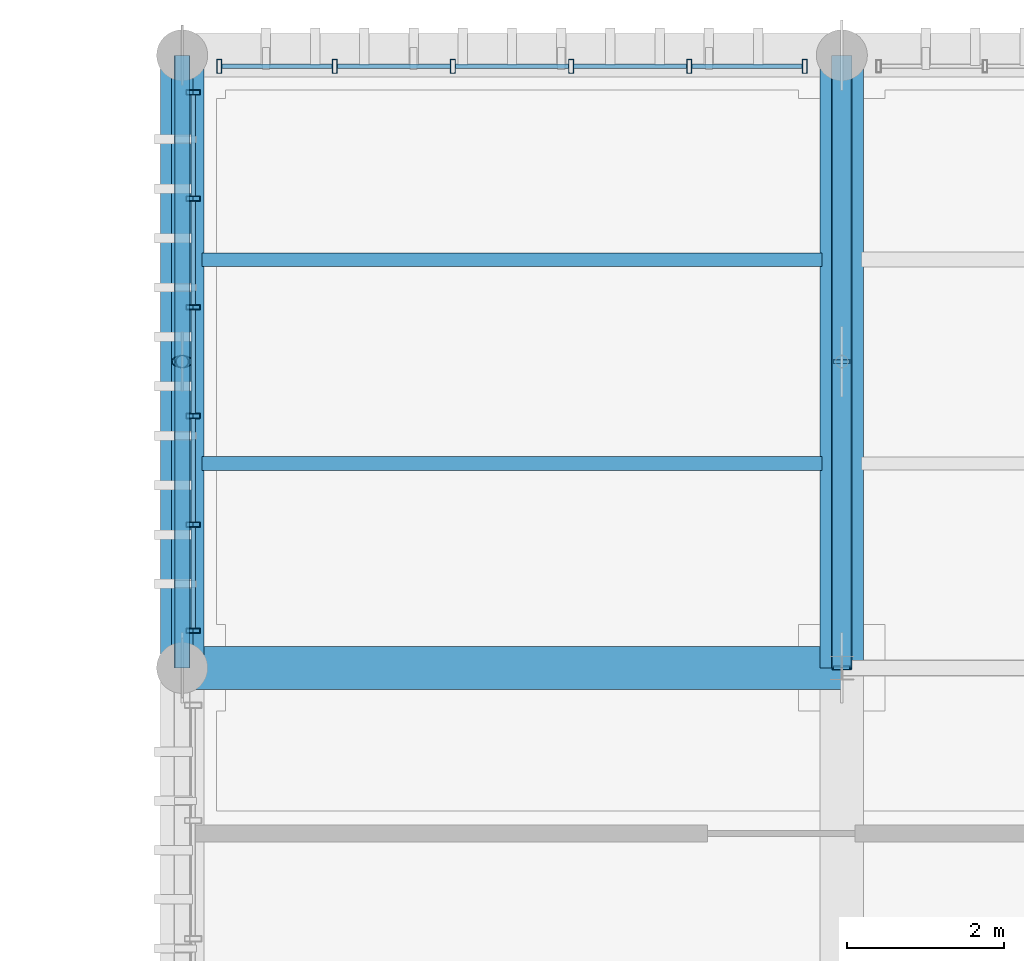
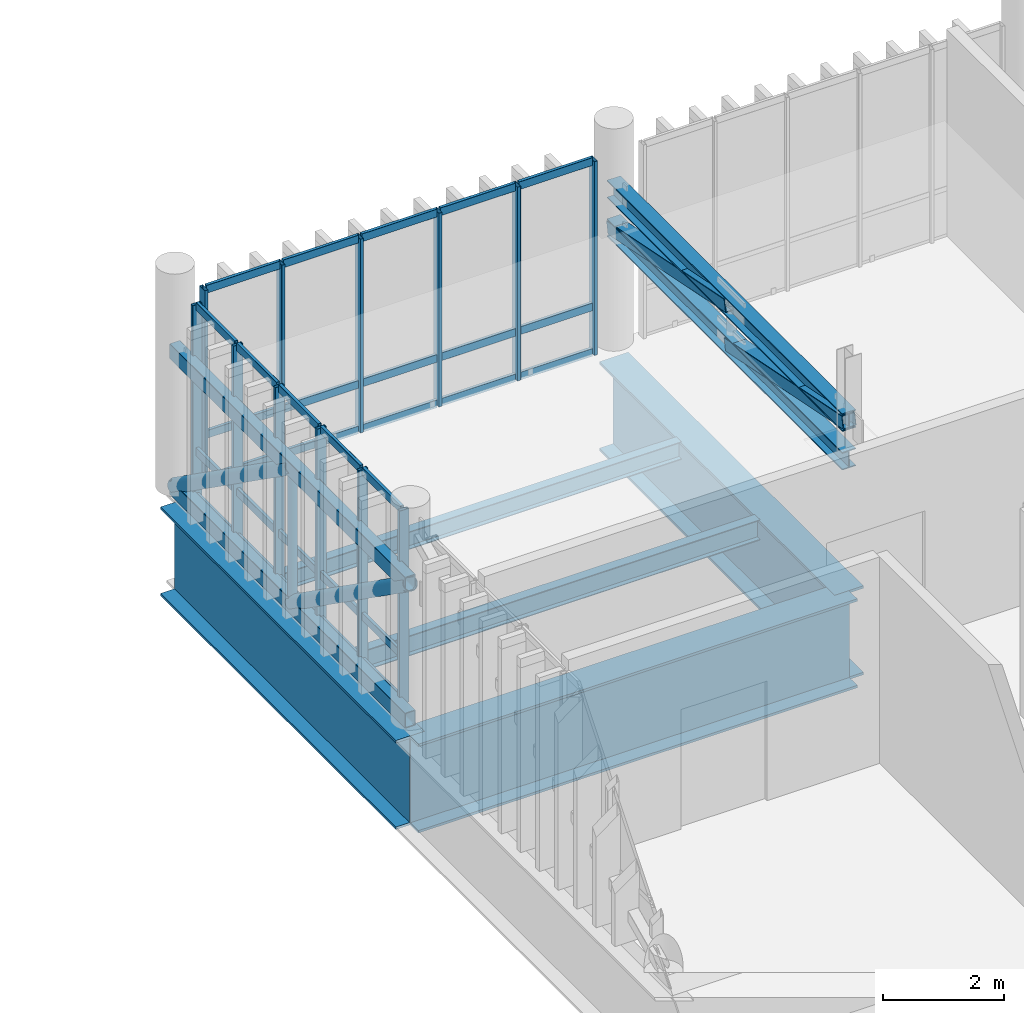
# One storey, part 34 of 53: 51 members, 5 beams, 2 elements without a shape of their own.
"""IFC4 building model written with IfcOpenShell, lengths in metres."""

from ifc_helpers import new_model, si_unit, direction, frame, origin_with_axes, origin_2d_with_axis, place, context, subcontext, project, spatial, hollow_rectangle, hollow_circle, i_section, extrude, material, material_profile, profile_set, type_object, element, aggregate, save


model = new_model("IFC4")

# Units and contexts
model_context = context("Model", 3, precision=1e-05, world=origin_with_axes(), true_north=direction((0.0, 1.0)))
body_context = subcontext(model_context, "Body", "Model", "MODEL_VIEW")
ifc_project = project(units=[si_unit("LENGTHUNIT", "METRE"), si_unit("AREAUNIT", "SQUARE_METRE"), si_unit("VOLUMEUNIT", "CUBIC_METRE"), si_unit("PLANEANGLEUNIT", "RADIAN"), si_unit("MASSUNIT", "GRAM", prefix="KILO"), si_unit("THERMODYNAMICTEMPERATUREUNIT", "KELVIN")], contexts=[model_context])

# Site, building, storey
site_placement = place(None, origin_with_axes())
site = spatial("IfcSite", under=ifc_project, at=site_placement, CompositionType="ELEMENT")
building_placement = place(site_placement, origin_with_axes())
building = spatial("IfcBuilding", under=site, at=building_placement, Name="Montbau Bow Law Courts", CompositionType="ELEMENT")
storey_placement = place(building_placement, frame((0.0, 0.0, 39.0), z_axis=(0.0, 0.0, 1.0), x_axis=(1.0, 0.0, 0.0)))
storey = spatial("IfcBuildingStorey", under=building, at=storey_placement, Name="L08", CompositionType="ELEMENT", Elevation=39.0)

# Beams
ifc_material_1 = material(Name="Steel CSA G40.21 Grade 350W (350 MPa)", Category="steel")
ifc_material_profile_1 = material_profile(ifc_material_1, i_section(OverallWidth=0.179, OverallDepth=0.41, WebThickness=0.0088, FlangeThickness=0.0144, at=origin_2d_with_axis()), Name="W410X67", Category="Main", Priority=0)
ifc_profile_set_1 = profile_set([ifc_material_profile_1], Name="Steel CSA G40.21 Grade 350W (350 MPa)")
beam_type_1 = type_object("IfcBeamType", Name="B-JST-02", PredefinedType="JOIST", material=ifc_profile_set_1)
beam_1_placement = place(None, frame((138.851, 105.8, 38.455), z_axis=(1.0, 0.0, 0.0), x_axis=(0.0, 1.0, 0.0)))
element("IfcBeam", 1, at=beam_1_placement, inside=storey, type_object=beam_type_1, Name="JST-L08-S0765:jst2_0765", PredefinedType="JOIST", context=body_context, shape_type="SweptSolid", body=[
    extrude(i_section(OverallWidth=0.179, OverallDepth=0.41, WebThickness=0.0088, FlangeThickness=0.0144, at=origin_2d_with_axis()), origin_with_axes(), (0.0, 0.0, 1.0), 7.898),
])
ifc_material_profile_2 = material_profile(ifc_material_1, i_section(OverallWidth=0.172, OverallDepth=0.358, WebThickness=0.0079, FlangeThickness=0.0131, at=origin_2d_with_axis()), Name="W360X57", Category="Main", Priority=0)
ifc_profile_set_2 = profile_set([ifc_material_profile_2], Name="Steel CSA G40.21 Grade 350W (350 MPa)")
beam_type_2 = type_object("IfcBeamType", Name="B-JST-03", PredefinedType="JOIST", material=ifc_profile_set_2)
beam_2_placement = place(None, frame((138.851, 108.4, 38.481), z_axis=(1.0, 0.0, 0.0), x_axis=(0.0, 1.0, 0.0)))
element("IfcBeam", 2, at=beam_2_placement, inside=storey, type_object=beam_type_2, Name="JST-L08-S0766:jst2_0766", PredefinedType="JOIST", context=body_context, shape_type="SweptSolid", body=[
    extrude(i_section(OverallWidth=0.172, OverallDepth=0.358, WebThickness=0.0079, FlangeThickness=0.0131, at=origin_2d_with_axis()), origin_with_axes(), (0.0, 0.0, 1.0), 7.898),
])
ifc_material_2 = material(Name="Steel CSA G40.21 Grade 350WT (350 MPa)", Category="steel")
ifc_material_profile_3 = material_profile(ifc_material_2, i_section(OverallWidth=0.55, OverallDepth=1.8, WebThickness=0.022, FlangeThickness=0.05, at=origin_2d_with_axis()), Name="WWF1800X550", Category="Main", Priority=0)
ifc_profile_set_3 = profile_set([ifc_material_profile_3], Name="Steel CSA G40.21 Grade 350WT (350 MPa)")
beam_type_3 = type_object("IfcBeamType", Name="B-TRG-01", PredefinedType="USERDEFINED", material=ifc_profile_set_3)
for number, where, z_axis, x_axis, name in (
    (3, (138.6, 103.2, 37.76), (0.0, 1.0, 0.0), (-1.0, 0.0, 0.0), "TRG-L08-S0097:bm2_0100"),
    (4, (147.0, 103.2, 37.76), (0.0, 1.0, 0.0), (-1.0, 0.0, 0.0), "TRG-L08-S0099:bm2_0102"),
):
    element("IfcBeam", number, at=place(None, frame(where, z_axis=z_axis, x_axis=x_axis)), inside=storey, type_object=beam_type_3, Name=name, ObjectType="GIRDER", PredefinedType="USERDEFINED", context=body_context, shape_type="SweptSolid", body=[
        extrude(i_section(OverallWidth=0.55, OverallDepth=1.8, WebThickness=0.022, FlangeThickness=0.05, at=origin_2d_with_axis()), origin_with_axes(), (0.0, 0.0, 1.0), 7.8),
    ])
beam_3_placement = place(None, frame((138.6, 103.2, 37.76), z_axis=(1.0, 0.0, 0.0), x_axis=(0.0, 1.0, 0.0)))
element("IfcBeam", 5, at=beam_3_placement, inside=storey, type_object=beam_type_3, Name="TRG-L08-S0114:bm2_0117", ObjectType="GIRDER", PredefinedType="USERDEFINED", context=body_context, shape_type="SweptSolid", body=[
    extrude(i_section(OverallWidth=0.55, OverallDepth=1.8, WebThickness=0.022, FlangeThickness=0.05, at=origin_2d_with_axis()), origin_with_axes(), (0.0, 0.0, 1.0), 8.4),
])

# Members
ifc_material_profile_4 = material_profile(ifc_material_1, hollow_rectangle(XDim=0.254, YDim=0.254, WallThickness=0.0127, InnerFilletRadius=0.0254, OuterFilletRadius=0.0127, at=origin_2d_with_axis()), Name="HSS254X254X13", Category="Main", Priority=0)
ifc_profile_set_4 = profile_set([ifc_material_profile_4], Name="Steel CSA G40.21 Grade 350W (350 MPa)")
member_type_1 = type_object("IfcMemberType", Name="M-BRC-01", PredefinedType="BRACE", material=ifc_profile_set_4)
for number, where, z_axis, x_axis, name in (
    (6, (147.0, 103.2, 42.1), (0.0, 0.980580676, -0.196116135), (-1.0, 0.0, 0.0), "Diagonal brace BRC-L08-031"),
    (7, (147.0, 107.1, 42.1), (0.0, 0.980580676, -0.196116135), (-1.0, 0.0, 0.0), "Diagonal brace BRC-L08-032"),
):
    element("IfcMember", number, at=place(None, frame(where, z_axis=z_axis, x_axis=x_axis)), inside=storey, type_object=member_type_1, Name=name, PredefinedType="BRACE", context=body_context, shape_type="SweptSolid", body=[
        extrude(hollow_rectangle(XDim=0.254, YDim=0.254, WallThickness=0.0127, InnerFilletRadius=0.0254, OuterFilletRadius=0.0127, at=origin_2d_with_axis()), origin_with_axes(), (0.0, 0.0, 1.0), 3.977235),
    ])
ifc_material_profile_5 = material_profile(ifc_material_1, hollow_circle(Radius=0.1365, WallThickness=0.0127, at=origin_2d_with_axis()), Name="HSS273X13", Category="Main", Priority=0)
ifc_profile_set_5 = profile_set([ifc_material_profile_5], Name="Steel CSA G40.21 Grade 350W (350 MPa)")
member_type_2 = type_object("IfcMemberType", Name="M-BRC-03", PredefinedType="BRACE", material=ifc_profile_set_5)
for number, where, z_axis, x_axis, name in (
    (8, (138.6, 103.2, 41.75), (0.0, 0.817258134, -0.576271761), (-1.0, 0.0, 0.0), "Diagonal brace BRC-L08-029"),
    (9, (138.6, 107.1, 41.75), (0.0, 0.817258134, -0.576271761), (-1.0, 0.0, 0.0), "Diagonal brace BRC-L08-030"),
):
    element("IfcMember", number, at=place(None, frame(where, z_axis=z_axis, x_axis=x_axis)), inside=storey, type_object=member_type_2, Name=name, PredefinedType="BRACE", context=body_context, shape_type="SweptSolid", body=[
        extrude(hollow_circle(Radius=0.1365, WallThickness=0.0127, at=origin_2d_with_axis()), origin_with_axes(), (0.0, 0.0, 1.0), 4.772054),
    ])
ifc_material_profile_6 = material_profile(ifc_material_2, i_section(OverallWidth=0.257, OverallDepth=0.363, WebThickness=0.013, FlangeThickness=0.0217, at=origin_2d_with_axis()), Name="W360X122", Category="Main", Priority=0)
ifc_profile_set_6 = profile_set([ifc_material_profile_6], Name="Steel CSA G40.21 Grade 350WT (350 MPa)")
member_type_3 = type_object("IfcMemberType", Name="M-CHD-01", PredefinedType="CHORD", material=ifc_profile_set_6)
for number, where, z_axis, x_axis, name in (
    (10, (147.0, 103.2, 41.32), (0.0, 1.0, 0.0), (-1.0, 0.0, 0.0), "CHB-L08-16:chb_0016"),
    (11, (147.0, 103.2, 42.1), (0.0, 1.0, 0.0), (-1.0, 0.0, 0.0), "CHD-L08-16:mbr_0061"),
):
    element("IfcMember", number, at=place(None, frame(where, z_axis=z_axis, x_axis=x_axis)), inside=storey, type_object=member_type_3, Name=name, PredefinedType="CHORD", context=body_context, shape_type="SweptSolid", body=[
        extrude(i_section(OverallWidth=0.257, OverallDepth=0.363, WebThickness=0.013, FlangeThickness=0.0217, at=origin_2d_with_axis()), origin_with_axes(), (0.0, 0.0, 1.0), 7.8),
    ])
ifc_material_profile_7 = material_profile(ifc_material_2, hollow_rectangle(XDim=0.203, YDim=0.305, WallThickness=0.0127, InnerFilletRadius=0.0254, OuterFilletRadius=0.0127, at=origin_2d_with_axis()), Name="HSS305X203X13", Category="Main", Priority=0)
ifc_profile_set_7 = profile_set([ifc_material_profile_7], Name="Steel CSA G40.21 Grade 350WT (350 MPa)")
member_type_4 = type_object("IfcMemberType", Name="M-CHD-02", PredefinedType="CHORD", material=ifc_profile_set_7)
for number, where, z_axis, x_axis, name in (
    (12, (138.6, 103.2, 39.0), (0.0, 1.0, 0.0), (-1.0, 0.0, 0.0), "CHB-L08-15:chb_0015"),
    (13, (138.6, 103.2, 41.75), (0.0, 1.0, 0.0), (-1.0, 0.0, 0.0), "CHD-L08-15:mbr_0057"),
):
    element("IfcMember", number, at=place(None, frame(where, z_axis=z_axis, x_axis=x_axis)), inside=storey, type_object=member_type_4, Name=name, PredefinedType="CHORD", context=body_context, shape_type="SweptSolid", body=[
        extrude(hollow_rectangle(XDim=0.203, YDim=0.305, WallThickness=0.0127, InnerFilletRadius=0.0254, OuterFilletRadius=0.0127, at=origin_2d_with_axis()), origin_with_axes(), (0.0, 0.0, 1.0), 7.8),
    ])

# Curtain wall, members
ifc_material_3 = material(Name="Thermally Broken Extruded Aluminium AA 6063-T6", Category="aluminium")
curtain_wall_type = type_object("IfcCurtainWallType", Name="CW-CRM-03", PredefinedType="NOTDEFINED", material=ifc_material_3)
curtain_wall_1_placement = place(None, frame((139.04, 110.86, 39.0), z_axis=(0.0, 0.0, 1.0), x_axis=(1.0, 0.0, 0.0)))
curtain_wall_1 = element("IfcCurtainWall", 14, at=curtain_wall_1_placement, inside=storey, type_object=curtain_wall_type, Name="CW-L08-376:cw_0376", PredefinedType="NOTDEFINED")
ifc_material_profile_8 = material_profile(ifc_material_3, hollow_rectangle(XDim=0.065, YDim=0.18, WallThickness=0.005, InnerFilletRadius=0.01, OuterFilletRadius=0.005, at=origin_2d_with_axis()), Name="CWM-180X65", Category="Main", Priority=0)
ifc_profile_set_8 = profile_set([ifc_material_profile_8], Name="Thermally Broken Extruded Aluminium AA 6063-T6")
member_type_5 = type_object("IfcMemberType", Name="M-MUL-02", PredefinedType="MULLION", material=ifc_profile_set_8)
member_1_placement = place(None, frame((139.073, 110.86, 39.0), z_axis=(0.0, 0.0, 1.0), x_axis=(1.0, 0.0, 0.0)))
member_1 = element("IfcMember", 15, at=member_1_placement, type_object=member_type_5, Name="CW-L08-376-M01:cw_0376_M01", PredefinedType="MULLION", context=body_context, shape_type="SweptSolid", body=[
    extrude(hollow_rectangle(XDim=0.065, YDim=0.18, WallThickness=0.005, InnerFilletRadius=0.01, OuterFilletRadius=0.005, at=origin_2d_with_axis()), origin_with_axes(), (0.0, 0.0, 1.0), 3.92),
])
member_2_placement = place(None, frame((140.544, 110.86, 39.0), z_axis=(0.0, 0.0, 1.0), x_axis=(1.0, 0.0, 0.0)))
member_2 = element("IfcMember", 16, at=member_2_placement, type_object=member_type_5, Name="CW-L08-376-M02:cw_0376_M02", PredefinedType="MULLION", context=body_context, shape_type="SweptSolid", body=[
    extrude(hollow_rectangle(XDim=0.065, YDim=0.18, WallThickness=0.005, InnerFilletRadius=0.01, OuterFilletRadius=0.005, at=origin_2d_with_axis()), origin_with_axes(), (0.0, 0.0, 1.0), 3.92),
])
member_3_placement = place(None, frame((142.048, 110.86, 39.0), z_axis=(0.0, 0.0, 1.0), x_axis=(1.0, 0.0, 0.0)))
member_3 = element("IfcMember", 17, at=member_3_placement, type_object=member_type_5, Name="CW-L08-376-M03:cw_0376_M03", PredefinedType="MULLION", context=body_context, shape_type="SweptSolid", body=[
    extrude(hollow_rectangle(XDim=0.065, YDim=0.18, WallThickness=0.005, InnerFilletRadius=0.01, OuterFilletRadius=0.005, at=origin_2d_with_axis()), origin_with_axes(), (0.0, 0.0, 1.0), 3.92),
])
member_4_placement = place(None, frame((143.552, 110.86, 39.0), z_axis=(0.0, 0.0, 1.0), x_axis=(1.0, 0.0, 0.0)))
member_4 = element("IfcMember", 18, at=member_4_placement, type_object=member_type_5, Name="CW-L08-376-M04:cw_0376_M04", PredefinedType="MULLION", context=body_context, shape_type="SweptSolid", body=[
    extrude(hollow_rectangle(XDim=0.065, YDim=0.18, WallThickness=0.005, InnerFilletRadius=0.01, OuterFilletRadius=0.005, at=origin_2d_with_axis()), origin_with_axes(), (0.0, 0.0, 1.0), 3.92),
])
member_5_placement = place(None, frame((145.056, 110.86, 39.0), z_axis=(0.0, 0.0, 1.0), x_axis=(1.0, 0.0, 0.0)))
member_5 = element("IfcMember", 19, at=member_5_placement, type_object=member_type_5, Name="CW-L08-376-M05:cw_0376_M05", PredefinedType="MULLION", context=body_context, shape_type="SweptSolid", body=[
    extrude(hollow_rectangle(XDim=0.065, YDim=0.18, WallThickness=0.005, InnerFilletRadius=0.01, OuterFilletRadius=0.005, at=origin_2d_with_axis()), origin_with_axes(), (0.0, 0.0, 1.0), 3.92),
])
member_6_placement = place(None, frame((146.528, 110.86, 39.0), z_axis=(0.0, 0.0, 1.0), x_axis=(1.0, 0.0, 0.0)))
member_6 = element("IfcMember", 20, at=member_6_placement, type_object=member_type_5, Name="CW-L08-376-M06:cw_0376_M06", PredefinedType="MULLION", context=body_context, shape_type="SweptSolid", body=[
    extrude(hollow_rectangle(XDim=0.065, YDim=0.18, WallThickness=0.005, InnerFilletRadius=0.01, OuterFilletRadius=0.005, at=origin_2d_with_axis()), origin_with_axes(), (0.0, 0.0, 1.0), 3.92),
])

curtain_wall_2_placement = place(None, frame((138.74, 103.64, 39.0), z_axis=(0.0, 0.0, 1.0), x_axis=(1.0, 0.0, 0.0)))
curtain_wall_2 = element("IfcCurtainWall", 21, at=curtain_wall_2_placement, inside=storey, type_object=curtain_wall_type, Name="CW-L08-382:cw_0382", PredefinedType="NOTDEFINED")
member_7_placement = place(None, frame((138.74, 103.673, 39.0), z_axis=(0.0, 0.0, 1.0), x_axis=(0.0, 1.0, 0.0)))
member_7 = element("IfcMember", 22, at=member_7_placement, type_object=member_type_5, Name="CW-L08-382-M01:cw_0382_M01", PredefinedType="MULLION", context=body_context, shape_type="SweptSolid", body=[
    extrude(hollow_rectangle(XDim=0.065, YDim=0.18, WallThickness=0.005, InnerFilletRadius=0.01, OuterFilletRadius=0.005, at=origin_2d_with_axis()), origin_with_axes(), (0.0, 0.0, 1.0), 3.92),
])
member_8_placement = place(None, frame((138.74, 105.024, 39.0), z_axis=(0.0, 0.0, 1.0), x_axis=(0.0, 1.0, 0.0)))
member_8 = element("IfcMember", 23, at=member_8_placement, type_object=member_type_5, Name="CW-L08-382-M02:cw_0382_M02", PredefinedType="MULLION", context=body_context, shape_type="SweptSolid", body=[
    extrude(hollow_rectangle(XDim=0.065, YDim=0.18, WallThickness=0.005, InnerFilletRadius=0.01, OuterFilletRadius=0.005, at=origin_2d_with_axis()), origin_with_axes(), (0.0, 0.0, 1.0), 3.92),
])
member_9_placement = place(None, frame((138.74, 106.408, 39.0), z_axis=(0.0, 0.0, 1.0), x_axis=(0.0, 1.0, 0.0)))
member_9 = element("IfcMember", 24, at=member_9_placement, type_object=member_type_5, Name="CW-L08-382-M03:cw_0382_M03", PredefinedType="MULLION", context=body_context, shape_type="SweptSolid", body=[
    extrude(hollow_rectangle(XDim=0.065, YDim=0.18, WallThickness=0.005, InnerFilletRadius=0.01, OuterFilletRadius=0.005, at=origin_2d_with_axis()), origin_with_axes(), (0.0, 0.0, 1.0), 3.92),
])
member_10_placement = place(None, frame((138.74, 107.792, 39.0), z_axis=(0.0, 0.0, 1.0), x_axis=(0.0, 1.0, 0.0)))
member_10 = element("IfcMember", 25, at=member_10_placement, type_object=member_type_5, Name="CW-L08-382-M04:cw_0382_M04", PredefinedType="MULLION", context=body_context, shape_type="SweptSolid", body=[
    extrude(hollow_rectangle(XDim=0.065, YDim=0.18, WallThickness=0.005, InnerFilletRadius=0.01, OuterFilletRadius=0.005, at=origin_2d_with_axis()), origin_with_axes(), (0.0, 0.0, 1.0), 3.92),
])
member_11_placement = place(None, frame((138.74, 109.176, 39.0), z_axis=(0.0, 0.0, 1.0), x_axis=(0.0, 1.0, 0.0)))
member_11 = element("IfcMember", 26, at=member_11_placement, type_object=member_type_5, Name="CW-L08-382-M05:cw_0382_M05", PredefinedType="MULLION", context=body_context, shape_type="SweptSolid", body=[
    extrude(hollow_rectangle(XDim=0.065, YDim=0.18, WallThickness=0.005, InnerFilletRadius=0.01, OuterFilletRadius=0.005, at=origin_2d_with_axis()), origin_with_axes(), (0.0, 0.0, 1.0), 3.92),
])
member_12_placement = place(None, frame((138.74, 110.528, 39.0), z_axis=(0.0, 0.0, 1.0), x_axis=(0.0, 1.0, 0.0)))
member_12 = element("IfcMember", 27, at=member_12_placement, type_object=member_type_5, Name="CW-L08-382-M06:cw_0382_M06", PredefinedType="MULLION", context=body_context, shape_type="SweptSolid", body=[
    extrude(hollow_rectangle(XDim=0.065, YDim=0.18, WallThickness=0.005, InnerFilletRadius=0.01, OuterFilletRadius=0.005, at=origin_2d_with_axis()), origin_with_axes(), (0.0, 0.0, 1.0), 3.92),
])

# Member
ifc_material_profile_9 = material_profile(ifc_material_1, hollow_circle(Radius=0.084, WallThickness=0.0095, at=origin_2d_with_axis()), Name="HSS168X9.5", Category="Main", Priority=0)
ifc_profile_set_9 = profile_set([ifc_material_profile_9], Name="Steel CSA G40.21 Grade 350W (350 MPa)")
member_type_6 = type_object("IfcMemberType", Name="M-STR-01", PredefinedType="STRUT", material=ifc_profile_set_9)
member_13_placement = place(None, frame((138.6, 107.1, 39.0), z_axis=(0.0, 0.0, 1.0), x_axis=(1.0, 0.0, 0.0)))
element("IfcMember", 28, at=member_13_placement, inside=storey, type_object=member_type_6, Name="STR-L08-15:mbr_0060", PredefinedType="STRUT", context=body_context, shape_type="SweptSolid", body=[
    extrude(hollow_circle(Radius=0.084, WallThickness=0.0095, at=origin_2d_with_axis()), origin_with_axes(), (0.0, 0.0, 1.0), 2.75),
])

ifc_material_profile_10 = material_profile(ifc_material_3, hollow_rectangle(XDim=0.06, YDim=0.16, WallThickness=0.004, InnerFilletRadius=0.008, OuterFilletRadius=0.004, at=origin_2d_with_axis()), Name="CWT-160X60", Category="Main", Priority=0)
ifc_profile_set_10 = profile_set([ifc_material_profile_10], Name="Thermally Broken Extruded Aluminium AA 6063-T6")
member_type_7 = type_object("IfcMemberType", Name="M-TRN-01", PredefinedType="USERDEFINED", material=ifc_profile_set_10)
member_14_placement = place(None, frame((139.108, 110.86, 39.03), z_axis=(1.0, 0.0, 0.0), x_axis=(0.0, 1.0, 0.0)))
member_14 = element("IfcMember", 29, at=member_14_placement, type_object=member_type_7, Name="CW-L08-376-T01-1:cw_0376_T01_1", ObjectType="TRANSOM", PredefinedType="USERDEFINED", context=body_context, shape_type="SweptSolid", body=[
    extrude(hollow_rectangle(XDim=0.06, YDim=0.16, WallThickness=0.004, InnerFilletRadius=0.008, OuterFilletRadius=0.004, at=origin_2d_with_axis()), origin_with_axes(), (0.0, 0.0, 1.0), 1.402),
])

member_15_placement = place(None, frame((139.108, 110.86, 39.95), z_axis=(1.0, 0.0, 0.0), x_axis=(0.0, 1.0, 0.0)))
member_15 = element("IfcMember", 30, at=member_15_placement, type_object=member_type_7, Name="CW-L08-376-T01-2:cw_0376_T01_2", ObjectType="TRANSOM", PredefinedType="USERDEFINED", context=body_context, shape_type="SweptSolid", body=[
    extrude(hollow_rectangle(XDim=0.06, YDim=0.16, WallThickness=0.004, InnerFilletRadius=0.008, OuterFilletRadius=0.004, at=origin_2d_with_axis()), origin_with_axes(), (0.0, 0.0, 1.0), 1.402),
])

member_16_placement = place(None, frame((139.108, 110.86, 42.89), z_axis=(1.0, 0.0, 0.0), x_axis=(0.0, 1.0, 0.0)))
member_16 = element("IfcMember", 31, at=member_16_placement, type_object=member_type_7, Name="CW-L08-376-T01-3:cw_0376_T01_3", ObjectType="TRANSOM", PredefinedType="USERDEFINED", context=body_context, shape_type="SweptSolid", body=[
    extrude(hollow_rectangle(XDim=0.06, YDim=0.16, WallThickness=0.004, InnerFilletRadius=0.008, OuterFilletRadius=0.004, at=origin_2d_with_axis()), origin_with_axes(), (0.0, 0.0, 1.0), 1.402),
])

member_17_placement = place(None, frame((140.578, 110.86, 39.03), z_axis=(1.0, 0.0, 0.0), x_axis=(0.0, 1.0, 0.0)))
member_17 = element("IfcMember", 32, at=member_17_placement, type_object=member_type_7, Name="CW-L08-376-T02-1:cw_0376_T02_1", ObjectType="TRANSOM", PredefinedType="USERDEFINED", context=body_context, shape_type="SweptSolid", body=[
    extrude(hollow_rectangle(XDim=0.06, YDim=0.16, WallThickness=0.004, InnerFilletRadius=0.008, OuterFilletRadius=0.004, at=origin_2d_with_axis()), origin_with_axes(), (0.0, 0.0, 1.0), 1.436),
])

member_18_placement = place(None, frame((140.578, 110.86, 39.95), z_axis=(1.0, 0.0, 0.0), x_axis=(0.0, 1.0, 0.0)))
member_18 = element("IfcMember", 33, at=member_18_placement, type_object=member_type_7, Name="CW-L08-376-T02-2:cw_0376_T02_2", ObjectType="TRANSOM", PredefinedType="USERDEFINED", context=body_context, shape_type="SweptSolid", body=[
    extrude(hollow_rectangle(XDim=0.06, YDim=0.16, WallThickness=0.004, InnerFilletRadius=0.008, OuterFilletRadius=0.004, at=origin_2d_with_axis()), origin_with_axes(), (0.0, 0.0, 1.0), 1.436),
])

member_19_placement = place(None, frame((140.578, 110.86, 42.89), z_axis=(1.0, 0.0, 0.0), x_axis=(0.0, 1.0, 0.0)))
member_19 = element("IfcMember", 34, at=member_19_placement, type_object=member_type_7, Name="CW-L08-376-T02-3:cw_0376_T02_3", ObjectType="TRANSOM", PredefinedType="USERDEFINED", context=body_context, shape_type="SweptSolid", body=[
    extrude(hollow_rectangle(XDim=0.06, YDim=0.16, WallThickness=0.004, InnerFilletRadius=0.008, OuterFilletRadius=0.004, at=origin_2d_with_axis()), origin_with_axes(), (0.0, 0.0, 1.0), 1.436),
])

member_20_placement = place(None, frame((142.082, 110.86, 39.03), z_axis=(1.0, 0.0, 0.0), x_axis=(0.0, 1.0, 0.0)))
member_20 = element("IfcMember", 35, at=member_20_placement, type_object=member_type_7, Name="CW-L08-376-T03-1:cw_0376_T03_1", ObjectType="TRANSOM", PredefinedType="USERDEFINED", context=body_context, shape_type="SweptSolid", body=[
    extrude(hollow_rectangle(XDim=0.06, YDim=0.16, WallThickness=0.004, InnerFilletRadius=0.008, OuterFilletRadius=0.004, at=origin_2d_with_axis()), origin_with_axes(), (0.0, 0.0, 1.0), 1.436),
])

member_21_placement = place(None, frame((142.082, 110.86, 39.95), z_axis=(1.0, 0.0, 0.0), x_axis=(0.0, 1.0, 0.0)))
member_21 = element("IfcMember", 36, at=member_21_placement, type_object=member_type_7, Name="CW-L08-376-T03-2:cw_0376_T03_2", ObjectType="TRANSOM", PredefinedType="USERDEFINED", context=body_context, shape_type="SweptSolid", body=[
    extrude(hollow_rectangle(XDim=0.06, YDim=0.16, WallThickness=0.004, InnerFilletRadius=0.008, OuterFilletRadius=0.004, at=origin_2d_with_axis()), origin_with_axes(), (0.0, 0.0, 1.0), 1.436),
])

member_22_placement = place(None, frame((142.082, 110.86, 42.89), z_axis=(1.0, 0.0, 0.0), x_axis=(0.0, 1.0, 0.0)))
member_22 = element("IfcMember", 37, at=member_22_placement, type_object=member_type_7, Name="CW-L08-376-T03-3:cw_0376_T03_3", ObjectType="TRANSOM", PredefinedType="USERDEFINED", context=body_context, shape_type="SweptSolid", body=[
    extrude(hollow_rectangle(XDim=0.06, YDim=0.16, WallThickness=0.004, InnerFilletRadius=0.008, OuterFilletRadius=0.004, at=origin_2d_with_axis()), origin_with_axes(), (0.0, 0.0, 1.0), 1.436),
])

member_23_placement = place(None, frame((143.586, 110.86, 39.03), z_axis=(1.0, 0.0, 0.0), x_axis=(0.0, 1.0, 0.0)))
member_23 = element("IfcMember", 38, at=member_23_placement, type_object=member_type_7, Name="CW-L08-376-T04-1:cw_0376_T04_1", ObjectType="TRANSOM", PredefinedType="USERDEFINED", context=body_context, shape_type="SweptSolid", body=[
    extrude(hollow_rectangle(XDim=0.06, YDim=0.16, WallThickness=0.004, InnerFilletRadius=0.008, OuterFilletRadius=0.004, at=origin_2d_with_axis()), origin_with_axes(), (0.0, 0.0, 1.0), 1.436),
])

member_24_placement = place(None, frame((143.586, 110.86, 39.95), z_axis=(1.0, 0.0, 0.0), x_axis=(0.0, 1.0, 0.0)))
member_24 = element("IfcMember", 39, at=member_24_placement, type_object=member_type_7, Name="CW-L08-376-T04-2:cw_0376_T04_2", ObjectType="TRANSOM", PredefinedType="USERDEFINED", context=body_context, shape_type="SweptSolid", body=[
    extrude(hollow_rectangle(XDim=0.06, YDim=0.16, WallThickness=0.004, InnerFilletRadius=0.008, OuterFilletRadius=0.004, at=origin_2d_with_axis()), origin_with_axes(), (0.0, 0.0, 1.0), 1.436),
])

member_25_placement = place(None, frame((143.586, 110.86, 42.89), z_axis=(1.0, 0.0, 0.0), x_axis=(0.0, 1.0, 0.0)))
member_25 = element("IfcMember", 40, at=member_25_placement, type_object=member_type_7, Name="CW-L08-376-T04-3:cw_0376_T04_3", ObjectType="TRANSOM", PredefinedType="USERDEFINED", context=body_context, shape_type="SweptSolid", body=[
    extrude(hollow_rectangle(XDim=0.06, YDim=0.16, WallThickness=0.004, InnerFilletRadius=0.008, OuterFilletRadius=0.004, at=origin_2d_with_axis()), origin_with_axes(), (0.0, 0.0, 1.0), 1.436),
])

member_26_placement = place(None, frame((145.09, 110.86, 39.03), z_axis=(1.0, 0.0, 0.0), x_axis=(0.0, 1.0, 0.0)))
member_26 = element("IfcMember", 41, at=member_26_placement, type_object=member_type_7, Name="CW-L08-376-T05-1:cw_0376_T05_1", ObjectType="TRANSOM", PredefinedType="USERDEFINED", context=body_context, shape_type="SweptSolid", body=[
    extrude(hollow_rectangle(XDim=0.06, YDim=0.16, WallThickness=0.004, InnerFilletRadius=0.008, OuterFilletRadius=0.004, at=origin_2d_with_axis()), origin_with_axes(), (0.0, 0.0, 1.0), 1.404),
])

member_27_placement = place(None, frame((145.09, 110.86, 39.95), z_axis=(1.0, 0.0, 0.0), x_axis=(0.0, 1.0, 0.0)))
member_27 = element("IfcMember", 42, at=member_27_placement, type_object=member_type_7, Name="CW-L08-376-T05-2:cw_0376_T05_2", ObjectType="TRANSOM", PredefinedType="USERDEFINED", context=body_context, shape_type="SweptSolid", body=[
    extrude(hollow_rectangle(XDim=0.06, YDim=0.16, WallThickness=0.004, InnerFilletRadius=0.008, OuterFilletRadius=0.004, at=origin_2d_with_axis()), origin_with_axes(), (0.0, 0.0, 1.0), 1.404),
])

member_28_placement = place(None, frame((145.09, 110.86, 42.89), z_axis=(1.0, 0.0, 0.0), x_axis=(0.0, 1.0, 0.0)))
member_28 = element("IfcMember", 43, at=member_28_placement, type_object=member_type_7, Name="CW-L08-376-T05-3:cw_0376_T05_3", ObjectType="TRANSOM", PredefinedType="USERDEFINED", context=body_context, shape_type="SweptSolid", body=[
    extrude(hollow_rectangle(XDim=0.06, YDim=0.16, WallThickness=0.004, InnerFilletRadius=0.008, OuterFilletRadius=0.004, at=origin_2d_with_axis()), origin_with_axes(), (0.0, 0.0, 1.0), 1.404),
])

aggregate(curtain_wall_1, [member_1, member_2, member_3, member_4, member_5, member_6, member_14, member_15, member_16, member_17, member_18, member_19, member_20, member_21, member_22, member_23, member_24, member_25, member_26, member_27, member_28])

member_29_placement = place(None, frame((138.74, 103.708, 39.03), z_axis=(0.0, 1.0, 0.0), x_axis=(-1.0, 0.0, 0.0)))
member_29 = element("IfcMember", 44, at=member_29_placement, type_object=member_type_7, Name="CW-L08-382-T01-1:cw_0382_T01_1", ObjectType="TRANSOM", PredefinedType="USERDEFINED", context=body_context, shape_type="SweptSolid", body=[
    extrude(hollow_rectangle(XDim=0.06, YDim=0.16, WallThickness=0.004, InnerFilletRadius=0.008, OuterFilletRadius=0.004, at=origin_2d_with_axis()), origin_with_axes(), (0.0, 0.0, 1.0), 1.281),
])

member_30_placement = place(None, frame((138.74, 103.708, 39.95), z_axis=(0.0, 1.0, 0.0), x_axis=(-1.0, 0.0, 0.0)))
member_30 = element("IfcMember", 45, at=member_30_placement, type_object=member_type_7, Name="CW-L08-382-T01-2:cw_0382_T01_2", ObjectType="TRANSOM", PredefinedType="USERDEFINED", context=body_context, shape_type="SweptSolid", body=[
    extrude(hollow_rectangle(XDim=0.06, YDim=0.16, WallThickness=0.004, InnerFilletRadius=0.008, OuterFilletRadius=0.004, at=origin_2d_with_axis()), origin_with_axes(), (0.0, 0.0, 1.0), 1.281),
])

member_31_placement = place(None, frame((138.74, 103.708, 42.89), z_axis=(0.0, 1.0, 0.0), x_axis=(-1.0, 0.0, 0.0)))
member_31 = element("IfcMember", 46, at=member_31_placement, type_object=member_type_7, Name="CW-L08-382-T01-3:cw_0382_T01_3", ObjectType="TRANSOM", PredefinedType="USERDEFINED", context=body_context, shape_type="SweptSolid", body=[
    extrude(hollow_rectangle(XDim=0.06, YDim=0.16, WallThickness=0.004, InnerFilletRadius=0.008, OuterFilletRadius=0.004, at=origin_2d_with_axis()), origin_with_axes(), (0.0, 0.0, 1.0), 1.281),
])

member_32_placement = place(None, frame((138.74, 105.058, 39.03), z_axis=(0.0, 1.0, 0.0), x_axis=(-1.0, 0.0, 0.0)))
member_32 = element("IfcMember", 47, at=member_32_placement, type_object=member_type_7, Name="CW-L08-382-T02-1:cw_0382_T02_1", ObjectType="TRANSOM", PredefinedType="USERDEFINED", context=body_context, shape_type="SweptSolid", body=[
    extrude(hollow_rectangle(XDim=0.06, YDim=0.16, WallThickness=0.004, InnerFilletRadius=0.008, OuterFilletRadius=0.004, at=origin_2d_with_axis()), origin_with_axes(), (0.0, 0.0, 1.0), 1.315),
])

member_33_placement = place(None, frame((138.74, 105.058, 39.95), z_axis=(0.0, 1.0, 0.0), x_axis=(-1.0, 0.0, 0.0)))
member_33 = element("IfcMember", 48, at=member_33_placement, type_object=member_type_7, Name="CW-L08-382-T02-2:cw_0382_T02_2", ObjectType="TRANSOM", PredefinedType="USERDEFINED", context=body_context, shape_type="SweptSolid", body=[
    extrude(hollow_rectangle(XDim=0.06, YDim=0.16, WallThickness=0.004, InnerFilletRadius=0.008, OuterFilletRadius=0.004, at=origin_2d_with_axis()), origin_with_axes(), (0.0, 0.0, 1.0), 1.315),
])

member_34_placement = place(None, frame((138.74, 105.058, 42.89), z_axis=(0.0, 1.0, 0.0), x_axis=(-1.0, 0.0, 0.0)))
member_34 = element("IfcMember", 49, at=member_34_placement, type_object=member_type_7, Name="CW-L08-382-T02-3:cw_0382_T02_3", ObjectType="TRANSOM", PredefinedType="USERDEFINED", context=body_context, shape_type="SweptSolid", body=[
    extrude(hollow_rectangle(XDim=0.06, YDim=0.16, WallThickness=0.004, InnerFilletRadius=0.008, OuterFilletRadius=0.004, at=origin_2d_with_axis()), origin_with_axes(), (0.0, 0.0, 1.0), 1.315),
])

member_35_placement = place(None, frame((138.74, 106.442, 39.03), z_axis=(0.0, 1.0, 0.0), x_axis=(-1.0, 0.0, 0.0)))
member_35 = element("IfcMember", 50, at=member_35_placement, type_object=member_type_7, Name="CW-L08-382-T03-1:cw_0382_T03_1", ObjectType="TRANSOM", PredefinedType="USERDEFINED", context=body_context, shape_type="SweptSolid", body=[
    extrude(hollow_rectangle(XDim=0.06, YDim=0.16, WallThickness=0.004, InnerFilletRadius=0.008, OuterFilletRadius=0.004, at=origin_2d_with_axis()), origin_with_axes(), (0.0, 0.0, 1.0), 1.316),
])

member_36_placement = place(None, frame((138.74, 106.442, 39.95), z_axis=(0.0, 1.0, 0.0), x_axis=(-1.0, 0.0, 0.0)))
member_36 = element("IfcMember", 51, at=member_36_placement, type_object=member_type_7, Name="CW-L08-382-T03-2:cw_0382_T03_2", ObjectType="TRANSOM", PredefinedType="USERDEFINED", context=body_context, shape_type="SweptSolid", body=[
    extrude(hollow_rectangle(XDim=0.06, YDim=0.16, WallThickness=0.004, InnerFilletRadius=0.008, OuterFilletRadius=0.004, at=origin_2d_with_axis()), origin_with_axes(), (0.0, 0.0, 1.0), 1.316),
])

member_37_placement = place(None, frame((138.74, 106.442, 42.89), z_axis=(0.0, 1.0, 0.0), x_axis=(-1.0, 0.0, 0.0)))
member_37 = element("IfcMember", 52, at=member_37_placement, type_object=member_type_7, Name="CW-L08-382-T03-3:cw_0382_T03_3", ObjectType="TRANSOM", PredefinedType="USERDEFINED", context=body_context, shape_type="SweptSolid", body=[
    extrude(hollow_rectangle(XDim=0.06, YDim=0.16, WallThickness=0.004, InnerFilletRadius=0.008, OuterFilletRadius=0.004, at=origin_2d_with_axis()), origin_with_axes(), (0.0, 0.0, 1.0), 1.316),
])

member_38_placement = place(None, frame((138.74, 107.826, 39.03), z_axis=(0.0, 1.0, 0.0), x_axis=(-1.0, 0.0, 0.0)))
member_38 = element("IfcMember", 53, at=member_38_placement, type_object=member_type_7, Name="CW-L08-382-T04-1:cw_0382_T04_1", ObjectType="TRANSOM", PredefinedType="USERDEFINED", context=body_context, shape_type="SweptSolid", body=[
    extrude(hollow_rectangle(XDim=0.06, YDim=0.16, WallThickness=0.004, InnerFilletRadius=0.008, OuterFilletRadius=0.004, at=origin_2d_with_axis()), origin_with_axes(), (0.0, 0.0, 1.0), 1.316),
])

member_39_placement = place(None, frame((138.74, 107.826, 39.95), z_axis=(0.0, 1.0, 0.0), x_axis=(-1.0, 0.0, 0.0)))
member_39 = element("IfcMember", 54, at=member_39_placement, type_object=member_type_7, Name="CW-L08-382-T04-2:cw_0382_T04_2", ObjectType="TRANSOM", PredefinedType="USERDEFINED", context=body_context, shape_type="SweptSolid", body=[
    extrude(hollow_rectangle(XDim=0.06, YDim=0.16, WallThickness=0.004, InnerFilletRadius=0.008, OuterFilletRadius=0.004, at=origin_2d_with_axis()), origin_with_axes(), (0.0, 0.0, 1.0), 1.316),
])

member_40_placement = place(None, frame((138.74, 107.826, 42.89), z_axis=(0.0, 1.0, 0.0), x_axis=(-1.0, 0.0, 0.0)))
member_40 = element("IfcMember", 55, at=member_40_placement, type_object=member_type_7, Name="CW-L08-382-T04-3:cw_0382_T04_3", ObjectType="TRANSOM", PredefinedType="USERDEFINED", context=body_context, shape_type="SweptSolid", body=[
    extrude(hollow_rectangle(XDim=0.06, YDim=0.16, WallThickness=0.004, InnerFilletRadius=0.008, OuterFilletRadius=0.004, at=origin_2d_with_axis()), origin_with_axes(), (0.0, 0.0, 1.0), 1.316),
])

member_41_placement = place(None, frame((138.74, 109.21, 39.03), z_axis=(0.0, 1.0, 0.0), x_axis=(-1.0, 0.0, 0.0)))
member_41 = element("IfcMember", 56, at=member_41_placement, type_object=member_type_7, Name="CW-L08-382-T05-1:cw_0382_T05_1", ObjectType="TRANSOM", PredefinedType="USERDEFINED", context=body_context, shape_type="SweptSolid", body=[
    extrude(hollow_rectangle(XDim=0.06, YDim=0.16, WallThickness=0.004, InnerFilletRadius=0.008, OuterFilletRadius=0.004, at=origin_2d_with_axis()), origin_with_axes(), (0.0, 0.0, 1.0), 1.284),
])

member_42_placement = place(None, frame((138.74, 109.21, 39.95), z_axis=(0.0, 1.0, 0.0), x_axis=(-1.0, 0.0, 0.0)))
member_42 = element("IfcMember", 57, at=member_42_placement, type_object=member_type_7, Name="CW-L08-382-T05-2:cw_0382_T05_2", ObjectType="TRANSOM", PredefinedType="USERDEFINED", context=body_context, shape_type="SweptSolid", body=[
    extrude(hollow_rectangle(XDim=0.06, YDim=0.16, WallThickness=0.004, InnerFilletRadius=0.008, OuterFilletRadius=0.004, at=origin_2d_with_axis()), origin_with_axes(), (0.0, 0.0, 1.0), 1.284),
])

member_43_placement = place(None, frame((138.74, 109.21, 42.89), z_axis=(0.0, 1.0, 0.0), x_axis=(-1.0, 0.0, 0.0)))
member_43 = element("IfcMember", 58, at=member_43_placement, type_object=member_type_7, Name="CW-L08-382-T05-3:cw_0382_T05_3", ObjectType="TRANSOM", PredefinedType="USERDEFINED", context=body_context, shape_type="SweptSolid", body=[
    extrude(hollow_rectangle(XDim=0.06, YDim=0.16, WallThickness=0.004, InnerFilletRadius=0.008, OuterFilletRadius=0.004, at=origin_2d_with_axis()), origin_with_axes(), (0.0, 0.0, 1.0), 1.284),
])

aggregate(curtain_wall_2, [member_7, member_8, member_9, member_10, member_11, member_12, member_29, member_30, member_31, member_32, member_33, member_34, member_35, member_36, member_37, member_38, member_39, member_40, member_41, member_42, member_43])

save(model, "model.ifc")
